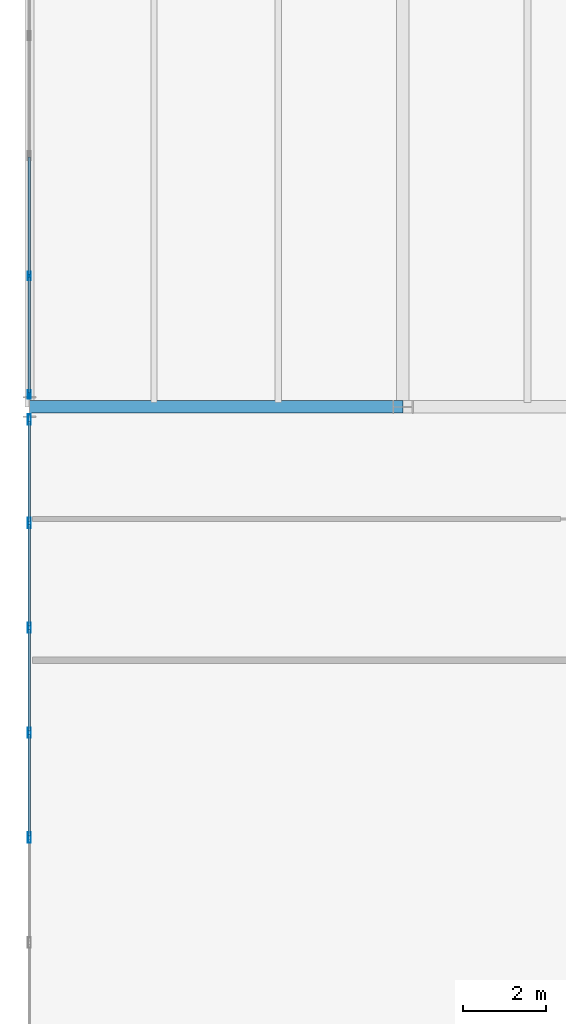
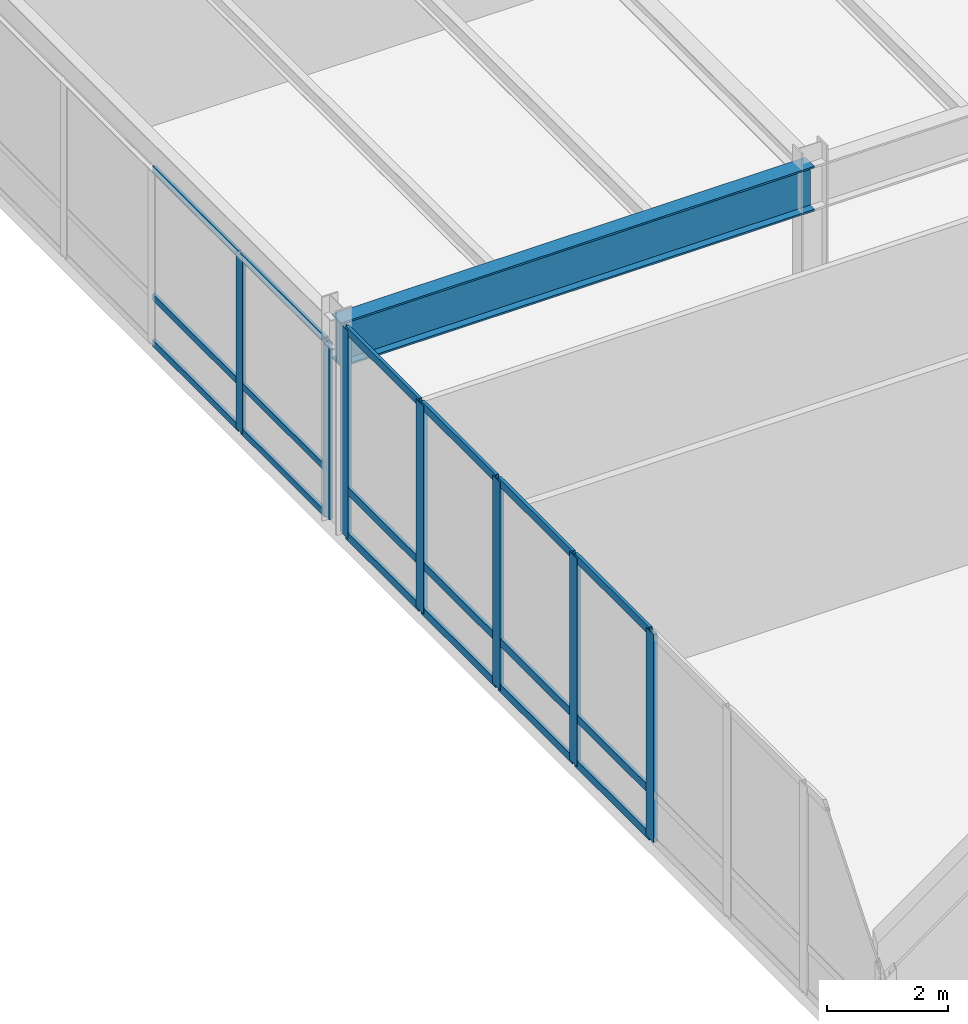
# One storey, part 20 of 115: 25 members, 1 beam, 2 elements without a shape of their own.
"""IFC4 building model written with IfcOpenShell, lengths in metres."""

from ifc_helpers import new_model, si_unit, direction, frame, origin, origin_2d, place, context, subcontext, project, spatial, hollow_rectangle, i_section, extrude, material, layer, layer_set, material_profile, profile_set, type_object, element, aggregate, save


model = new_model("IFC4")

# Units and contexts
model_context = context("Model", 3, precision=1e-05, world=origin(), true_north=direction((0.0, 1.0)))
body_context = subcontext(model_context, "Body", "Model", "MODEL_VIEW")
ifc_project = project(units=[si_unit("LENGTHUNIT", "METRE"), si_unit("AREAUNIT", "SQUARE_METRE"), si_unit("VOLUMEUNIT", "CUBIC_METRE"), si_unit("PLANEANGLEUNIT", "RADIAN"), si_unit("MASSUNIT", "GRAM", prefix="KILO")], contexts=[model_context])

# Site, building, storey
site_placement = place(None, origin())
site = spatial("IfcSite", under=ifc_project, at=site_placement, CompositionType="ELEMENT")
building_placement = place(site_placement, origin())
building = spatial("IfcBuilding", under=site, at=building_placement, Name="Montelvaro Courts of Justice", CompositionType="ELEMENT")
storey_placement = place(building_placement, frame((0.0, 0.0, 9.89990234375)))
storey = spatial("IfcBuildingStorey", under=building, at=storey_placement, Name="L02", CompositionType="ELEMENT", Elevation=9.89990234375)

# Beam
ifc_material_1 = material(Name="Steel S355", Category="steel")
ifc_material_profile_1 = material_profile(ifc_material_1, i_section(OverallWidth=0.300048828125, OverallDepth=0.89990234375, WebThickness=0.0185546875, FlangeThickness=0.034912109375, at=origin_2d()), Name="HEB 900")
ifc_profile_set_1 = profile_set([ifc_material_profile_1], Name="Steel S355")
beam_type = type_object("IfcBeamType", Name="Beam_HEB900", PredefinedType="USERDEFINED", material=ifc_profile_set_1)
beam_placement = place(storey_placement, frame((18.0, 42.0, 3.710205078125), z_axis=(1.0, 0.0, 0.0), x_axis=(0.0, 1.0, 0.0)))
element("IfcBeam", 1, at=beam_placement, inside=storey, type_object=beam_type, Name="Beam B-30 L02", ObjectType="GIRDER", PredefinedType="USERDEFINED", context=body_context, shape_type="SweptSolid", body=[
    extrude(i_section(OverallWidth=0.300048828125, OverallDepth=0.89990234375, WebThickness=0.0185546875, FlangeThickness=0.034912109375, at=origin_2d()), origin(), (0.0, 0.0, 1.0), 9.0),
])

# Curtain wall, members
ifc_material_2 = material(Name="Anodised aluminium EN AW-6063", Category="aluminium")
ifc_layer_1 = layer(ifc_material_2, 0.159912109375)
ifc_layer_set_1 = layer_set([ifc_layer_1], Name="Anodised aluminium EN AW-6063")
curtain_wall_type_1 = type_object("IfcCurtainWallType", Name="CurtainWall_23_1154x418", PredefinedType="USERDEFINED", material=ifc_layer_set_1)
curtain_wall_1_placement = place(storey_placement, origin())
curtain_wall_1 = element("IfcCurtainWall", 2, at=curtain_wall_1_placement, inside=storey, type_object=curtain_wall_type_1, Name="Curtain Wall CW-23 (L02)", ObjectType="CURTAIN WALL", PredefinedType="USERDEFINED")
ifc_material_profile_2 = material_profile(ifc_material_2, hollow_rectangle(XDim=0.06494140625, YDim=0.2099609375, WallThickness=0.0048828125, at=origin_2d()), Name="ALU-M 65x210")
ifc_profile_set_2 = profile_set([ifc_material_profile_2], Name="Anodised aluminium EN AW-6063")
member_type_1 = type_object("IfcMemberType", Name="CurtainWall_Mullion_65x210", PredefinedType="MULLION", material=ifc_profile_set_2)
member_1_placement = place(storey_placement, frame((18.0, 45.157470703125, 0.0), z_axis=(0.0, 0.0, 1.0), x_axis=(1.0, 0.0, 0.0)))
member_1 = element("IfcMember", 3, at=member_1_placement, type_object=member_type_1, Name="CW-23 mullion 4", PredefinedType="MULLION", context=body_context, shape_type="SweptSolid", body=[
    extrude(hollow_rectangle(XDim=0.06494140625, YDim=0.2099609375, WallThickness=0.0048828125, at=origin_2d()), origin(), (0.0, 0.0, 1.0), 3.55517578125),
])
member_2_placement = place(storey_placement, frame((18.0, 42.297607421875, 0.0), z_axis=(0.0, 0.0, 1.0), x_axis=(1.0, 0.0, 0.0)))
member_2 = element("IfcMember", 4, at=member_2_placement, type_object=member_type_1, Name="CW-23 mullion 5", PredefinedType="MULLION", context=body_context, shape_type="SweptSolid", body=[
    extrude(hollow_rectangle(XDim=0.06494140625, YDim=0.2099609375, WallThickness=0.0048828125, at=origin_2d()), origin(), (0.0, 0.0, 1.0), 3.55517578125),
])

ifc_layer_2 = layer(ifc_material_2, 0.159912109375)
ifc_layer_set_2 = layer_set([ifc_layer_2], Name="Anodised aluminium EN AW-6063")
curtain_wall_type_2 = type_object("IfcCurtainWallType", Name="CurtainWall_29_1770x418", PredefinedType="USERDEFINED", material=ifc_layer_set_2)
curtain_wall_2_placement = place(storey_placement, origin())
curtain_wall_2 = element("IfcCurtainWall", 5, at=curtain_wall_2_placement, inside=storey, type_object=curtain_wall_type_2, Name="Curtain Wall CW-29 (L02)", ObjectType="CURTAIN WALL", PredefinedType="USERDEFINED")
ifc_material_profile_3 = material_profile(ifc_material_2, hollow_rectangle(XDim=0.074951171875, YDim=0.25, WallThickness=0.005615234375, at=origin_2d()), Name="ALU-M 75x250")
ifc_profile_set_3 = profile_set([ifc_material_profile_3], Name="Anodised aluminium EN AW-6063")
member_type_2 = type_object("IfcMemberType", Name="CurtainWall_Mullion_75x250", PredefinedType="MULLION", material=ifc_profile_set_3)
member_3_placement = place(storey_placement, frame((18.0, 41.697509765625, 0.0), z_axis=(0.0, 0.0, 1.0), x_axis=(1.0, 0.0, 0.0)))
member_3 = element("IfcMember", 6, at=member_3_placement, type_object=member_type_2, Name="CW-29 mullion 1", PredefinedType="MULLION", context=body_context, shape_type="SweptSolid", body=[
    extrude(hollow_rectangle(XDim=0.074951171875, YDim=0.25, WallThickness=0.005615234375, at=origin_2d()), origin(), (0.0, 0.0, 1.0), 4.18017578125),
])
member_4_placement = place(storey_placement, frame((18.0, 39.20703125, 0.0), z_axis=(0.0, 0.0, 1.0), x_axis=(1.0, 0.0, 0.0)))
member_4 = element("IfcMember", 7, at=member_4_placement, type_object=member_type_2, Name="CW-29 mullion 2", PredefinedType="MULLION", context=body_context, shape_type="SweptSolid", body=[
    extrude(hollow_rectangle(XDim=0.074951171875, YDim=0.25, WallThickness=0.005615234375, at=origin_2d()), origin(), (0.0, 0.0, 1.0), 4.18017578125),
])
member_5_placement = place(storey_placement, frame((18.0, 36.67919921875, 0.0), z_axis=(0.0, 0.0, 1.0), x_axis=(1.0, 0.0, 0.0)))
member_5 = element("IfcMember", 8, at=member_5_placement, type_object=member_type_2, Name="CW-29 mullion 3", PredefinedType="MULLION", context=body_context, shape_type="SweptSolid", body=[
    extrude(hollow_rectangle(XDim=0.074951171875, YDim=0.25, WallThickness=0.005615234375, at=origin_2d()), origin(), (0.0, 0.0, 1.0), 4.18017578125),
])
member_6_placement = place(storey_placement, frame((18.0, 34.1513671875, 0.0), z_axis=(0.0, 0.0, 1.0), x_axis=(1.0, 0.0, 0.0)))
member_6 = element("IfcMember", 9, at=member_6_placement, type_object=member_type_2, Name="CW-29 mullion 4", PredefinedType="MULLION", context=body_context, shape_type="SweptSolid", body=[
    extrude(hollow_rectangle(XDim=0.074951171875, YDim=0.25, WallThickness=0.005615234375, at=origin_2d()), origin(), (0.0, 0.0, 1.0), 4.18017578125),
])
member_7_placement = place(storey_placement, frame((18.0, 31.62353515625, 0.0), z_axis=(0.0, 0.0, 1.0), x_axis=(1.0, 0.0, 0.0)))
member_7 = element("IfcMember", 10, at=member_7_placement, type_object=member_type_2, Name="CW-29 mullion 5", PredefinedType="MULLION", context=body_context, shape_type="SweptSolid", body=[
    extrude(hollow_rectangle(XDim=0.074951171875, YDim=0.25, WallThickness=0.005615234375, at=origin_2d()), origin(), (0.0, 0.0, 1.0), 4.18017578125),
])

# Member
ifc_material_profile_4 = material_profile(ifc_material_2, hollow_rectangle(XDim=0.06005859375, YDim=0.1298828125, WallThickness=0.00390625, at=origin_2d()), Name="ALU-T 60x130")
ifc_profile_set_4 = profile_set([ifc_material_profile_4], Name="Anodised aluminium EN AW-6063")
member_type_3 = type_object("IfcMemberType", Name="CurtainWall_Transom_60x130", PredefinedType="USERDEFINED", material=ifc_profile_set_4)
member_8_placement = place(storey_placement, frame((18.0, 48.017578125, 0.030029296875), z_axis=(0.0, -1.0, 0.0), x_axis=(1.0, 0.0, 0.0)))
member_8 = element("IfcMember", 11, at=member_8_placement, type_object=member_type_3, Name="CW-23 transom 3.1", ObjectType="TRANSOM", PredefinedType="USERDEFINED", context=body_context, shape_type="SweptSolid", body=[
    extrude(hollow_rectangle(XDim=0.06005859375, YDim=0.1298828125, WallThickness=0.00390625, at=origin_2d()), origin(), (0.0, 0.0, 1.0), 2.82763671875),
])

member_9_placement = place(storey_placement, frame((18.0, 48.017578125, 0.9501953125), z_axis=(0.0, -1.0, 0.0), x_axis=(1.0, 0.0, 0.0)))
member_9 = element("IfcMember", 12, at=member_9_placement, type_object=member_type_3, Name="CW-23 transom 3.2", ObjectType="TRANSOM", PredefinedType="USERDEFINED", context=body_context, shape_type="SweptSolid", body=[
    extrude(hollow_rectangle(XDim=0.06005859375, YDim=0.1298828125, WallThickness=0.00390625, at=origin_2d()), origin(), (0.0, 0.0, 1.0), 2.82763671875),
])

member_10_placement = place(storey_placement, frame((18.0, 48.017578125, 3.525146484375), z_axis=(0.0, -1.0, 0.0), x_axis=(1.0, 0.0, 0.0)))
member_10 = element("IfcMember", 13, at=member_10_placement, type_object=member_type_3, Name="CW-23 transom 3.3", ObjectType="TRANSOM", PredefinedType="USERDEFINED", context=body_context, shape_type="SweptSolid", body=[
    extrude(hollow_rectangle(XDim=0.06005859375, YDim=0.1298828125, WallThickness=0.00390625, at=origin_2d()), origin(), (0.0, 0.0, 1.0), 2.82763671875),
])

member_11_placement = place(storey_placement, frame((18.0, 45.125, 0.030029296875), z_axis=(0.0, -1.0, 0.0), x_axis=(1.0, 0.0, 0.0)))
member_11 = element("IfcMember", 14, at=member_11_placement, type_object=member_type_3, Name="CW-23 transom 4.1", ObjectType="TRANSOM", PredefinedType="USERDEFINED", context=body_context, shape_type="SweptSolid", body=[
    extrude(hollow_rectangle(XDim=0.06005859375, YDim=0.1298828125, WallThickness=0.00390625, at=origin_2d()), origin(), (0.0, 0.0, 1.0), 2.794921875),
])

member_12_placement = place(storey_placement, frame((18.0, 45.125, 0.9501953125), z_axis=(0.0, -1.0, 0.0), x_axis=(1.0, 0.0, 0.0)))
member_12 = element("IfcMember", 15, at=member_12_placement, type_object=member_type_3, Name="CW-23 transom 4.2", ObjectType="TRANSOM", PredefinedType="USERDEFINED", context=body_context, shape_type="SweptSolid", body=[
    extrude(hollow_rectangle(XDim=0.06005859375, YDim=0.1298828125, WallThickness=0.00390625, at=origin_2d()), origin(), (0.0, 0.0, 1.0), 2.794921875),
])

member_13_placement = place(storey_placement, frame((18.0, 45.125, 3.525146484375), z_axis=(0.0, -1.0, 0.0), x_axis=(1.0, 0.0, 0.0)))
member_13 = element("IfcMember", 16, at=member_13_placement, type_object=member_type_3, Name="CW-23 transom 4.3", ObjectType="TRANSOM", PredefinedType="USERDEFINED", context=body_context, shape_type="SweptSolid", body=[
    extrude(hollow_rectangle(XDim=0.06005859375, YDim=0.1298828125, WallThickness=0.00390625, at=origin_2d()), origin(), (0.0, 0.0, 1.0), 2.794921875),
])

aggregate(curtain_wall_1, [member_1, member_2, member_8, member_9, member_10, member_11, member_12, member_13])

ifc_material_profile_5 = material_profile(ifc_material_2, hollow_rectangle(XDim=0.06005859375, YDim=0.159912109375, WallThickness=0.00439453125, at=origin_2d()), Name="ALU-T 60x160")
ifc_profile_set_5 = profile_set([ifc_material_profile_5], Name="Anodised aluminium EN AW-6063")
member_type_4 = type_object("IfcMemberType", Name="CurtainWall_Transom_60x160", PredefinedType="USERDEFINED", material=ifc_profile_set_5)
member_14_placement = place(storey_placement, frame((18.0, 41.659912109375, 0.030029296875), z_axis=(0.0, -1.0, 0.0), x_axis=(1.0, 0.0, 0.0)))
member_14 = element("IfcMember", 17, at=member_14_placement, type_object=member_type_4, Name="CW-29 transom 1.1", ObjectType="TRANSOM", PredefinedType="USERDEFINED", context=body_context, shape_type="SweptSolid", body=[
    extrude(hollow_rectangle(XDim=0.06005859375, YDim=0.159912109375, WallThickness=0.00439453125, at=origin_2d()), origin(), (0.0, 0.0, 1.0), 2.415283203125),
])

member_15_placement = place(storey_placement, frame((18.0, 41.659912109375, 0.9501953125), z_axis=(0.0, -1.0, 0.0), x_axis=(1.0, 0.0, 0.0)))
member_15 = element("IfcMember", 18, at=member_15_placement, type_object=member_type_4, Name="CW-29 transom 1.2", ObjectType="TRANSOM", PredefinedType="USERDEFINED", context=body_context, shape_type="SweptSolid", body=[
    extrude(hollow_rectangle(XDim=0.06005859375, YDim=0.159912109375, WallThickness=0.00439453125, at=origin_2d()), origin(), (0.0, 0.0, 1.0), 2.415283203125),
])

member_16_placement = place(storey_placement, frame((18.0, 41.659912109375, 4.150146484375), z_axis=(0.0, -1.0, 0.0), x_axis=(1.0, 0.0, 0.0)))
member_16 = element("IfcMember", 19, at=member_16_placement, type_object=member_type_4, Name="CW-29 transom 1.3", ObjectType="TRANSOM", PredefinedType="USERDEFINED", context=body_context, shape_type="SweptSolid", body=[
    extrude(hollow_rectangle(XDim=0.06005859375, YDim=0.159912109375, WallThickness=0.00439453125, at=origin_2d()), origin(), (0.0, 0.0, 1.0), 2.415283203125),
])

member_17_placement = place(storey_placement, frame((18.0, 39.169677734375, 0.030029296875), z_axis=(0.0, -1.0, 0.0), x_axis=(1.0, 0.0, 0.0)))
member_17 = element("IfcMember", 20, at=member_17_placement, type_object=member_type_4, Name="CW-29 transom 2.1", ObjectType="TRANSOM", PredefinedType="USERDEFINED", context=body_context, shape_type="SweptSolid", body=[
    extrude(hollow_rectangle(XDim=0.06005859375, YDim=0.159912109375, WallThickness=0.00439453125, at=origin_2d()), origin(), (0.0, 0.0, 1.0), 2.452880859375),
])

member_18_placement = place(storey_placement, frame((18.0, 39.169677734375, 0.9501953125), z_axis=(0.0, -1.0, 0.0), x_axis=(1.0, 0.0, 0.0)))
member_18 = element("IfcMember", 21, at=member_18_placement, type_object=member_type_4, Name="CW-29 transom 2.2", ObjectType="TRANSOM", PredefinedType="USERDEFINED", context=body_context, shape_type="SweptSolid", body=[
    extrude(hollow_rectangle(XDim=0.06005859375, YDim=0.159912109375, WallThickness=0.00439453125, at=origin_2d()), origin(), (0.0, 0.0, 1.0), 2.452880859375),
])

member_19_placement = place(storey_placement, frame((18.0, 39.169677734375, 4.150146484375), z_axis=(0.0, -1.0, 0.0), x_axis=(1.0, 0.0, 0.0)))
member_19 = element("IfcMember", 22, at=member_19_placement, type_object=member_type_4, Name="CW-29 transom 2.3", ObjectType="TRANSOM", PredefinedType="USERDEFINED", context=body_context, shape_type="SweptSolid", body=[
    extrude(hollow_rectangle(XDim=0.06005859375, YDim=0.159912109375, WallThickness=0.00439453125, at=origin_2d()), origin(), (0.0, 0.0, 1.0), 2.452880859375),
])

member_20_placement = place(storey_placement, frame((18.0, 36.641845703125, 0.030029296875), z_axis=(0.0, -1.0, 0.0), x_axis=(1.0, 0.0, 0.0)))
member_20 = element("IfcMember", 23, at=member_20_placement, type_object=member_type_4, Name="CW-29 transom 3.1", ObjectType="TRANSOM", PredefinedType="USERDEFINED", context=body_context, shape_type="SweptSolid", body=[
    extrude(hollow_rectangle(XDim=0.06005859375, YDim=0.159912109375, WallThickness=0.00439453125, at=origin_2d()), origin(), (0.0, 0.0, 1.0), 2.452880859375),
])

member_21_placement = place(storey_placement, frame((18.0, 36.641845703125, 0.9501953125), z_axis=(0.0, -1.0, 0.0), x_axis=(1.0, 0.0, 0.0)))
member_21 = element("IfcMember", 24, at=member_21_placement, type_object=member_type_4, Name="CW-29 transom 3.2", ObjectType="TRANSOM", PredefinedType="USERDEFINED", context=body_context, shape_type="SweptSolid", body=[
    extrude(hollow_rectangle(XDim=0.06005859375, YDim=0.159912109375, WallThickness=0.00439453125, at=origin_2d()), origin(), (0.0, 0.0, 1.0), 2.452880859375),
])

member_22_placement = place(storey_placement, frame((18.0, 36.641845703125, 4.150146484375), z_axis=(0.0, -1.0, 0.0), x_axis=(1.0, 0.0, 0.0)))
member_22 = element("IfcMember", 25, at=member_22_placement, type_object=member_type_4, Name="CW-29 transom 3.3", ObjectType="TRANSOM", PredefinedType="USERDEFINED", context=body_context, shape_type="SweptSolid", body=[
    extrude(hollow_rectangle(XDim=0.06005859375, YDim=0.159912109375, WallThickness=0.00439453125, at=origin_2d()), origin(), (0.0, 0.0, 1.0), 2.452880859375),
])

member_23_placement = place(storey_placement, frame((18.0, 34.114013671875, 0.030029296875), z_axis=(0.0, -1.0, 0.0), x_axis=(1.0, 0.0, 0.0)))
member_23 = element("IfcMember", 26, at=member_23_placement, type_object=member_type_4, Name="CW-29 transom 4.1", ObjectType="TRANSOM", PredefinedType="USERDEFINED", context=body_context, shape_type="SweptSolid", body=[
    extrude(hollow_rectangle(XDim=0.06005859375, YDim=0.159912109375, WallThickness=0.00439453125, at=origin_2d()), origin(), (0.0, 0.0, 1.0), 2.452880859375),
])

member_24_placement = place(storey_placement, frame((18.0, 34.114013671875, 0.9501953125), z_axis=(0.0, -1.0, 0.0), x_axis=(1.0, 0.0, 0.0)))
member_24 = element("IfcMember", 27, at=member_24_placement, type_object=member_type_4, Name="CW-29 transom 4.2", ObjectType="TRANSOM", PredefinedType="USERDEFINED", context=body_context, shape_type="SweptSolid", body=[
    extrude(hollow_rectangle(XDim=0.06005859375, YDim=0.159912109375, WallThickness=0.00439453125, at=origin_2d()), origin(), (0.0, 0.0, 1.0), 2.452880859375),
])

member_25_placement = place(storey_placement, frame((18.0, 34.114013671875, 4.150146484375), z_axis=(0.0, -1.0, 0.0), x_axis=(1.0, 0.0, 0.0)))
member_25 = element("IfcMember", 28, at=member_25_placement, type_object=member_type_4, Name="CW-29 transom 4.3", ObjectType="TRANSOM", PredefinedType="USERDEFINED", context=body_context, shape_type="SweptSolid", body=[
    extrude(hollow_rectangle(XDim=0.06005859375, YDim=0.159912109375, WallThickness=0.00439453125, at=origin_2d()), origin(), (0.0, 0.0, 1.0), 2.452880859375),
])

aggregate(curtain_wall_2, [member_3, member_4, member_5, member_6, member_7, member_14, member_15, member_16, member_17, member_18, member_19, member_20, member_21, member_22, member_23, member_24, member_25])

save(model, "model.ifc")
